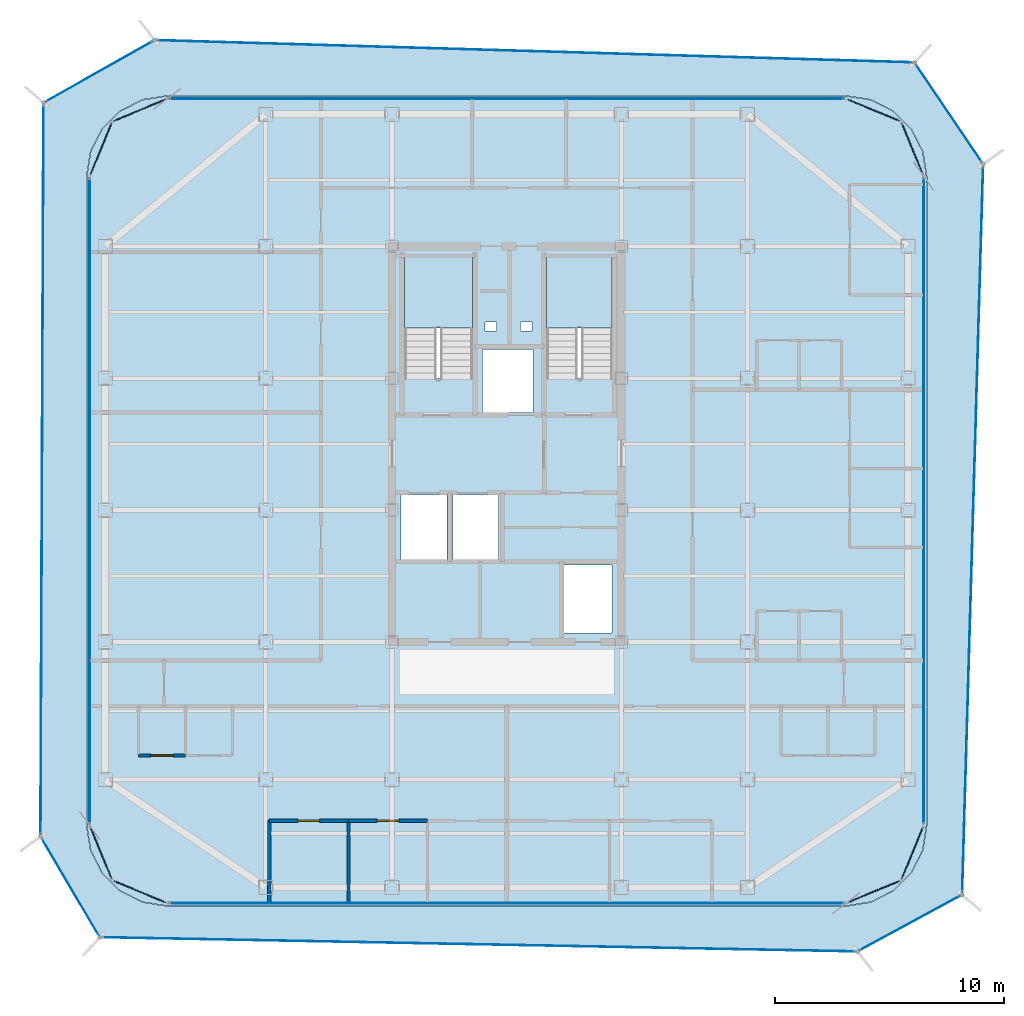
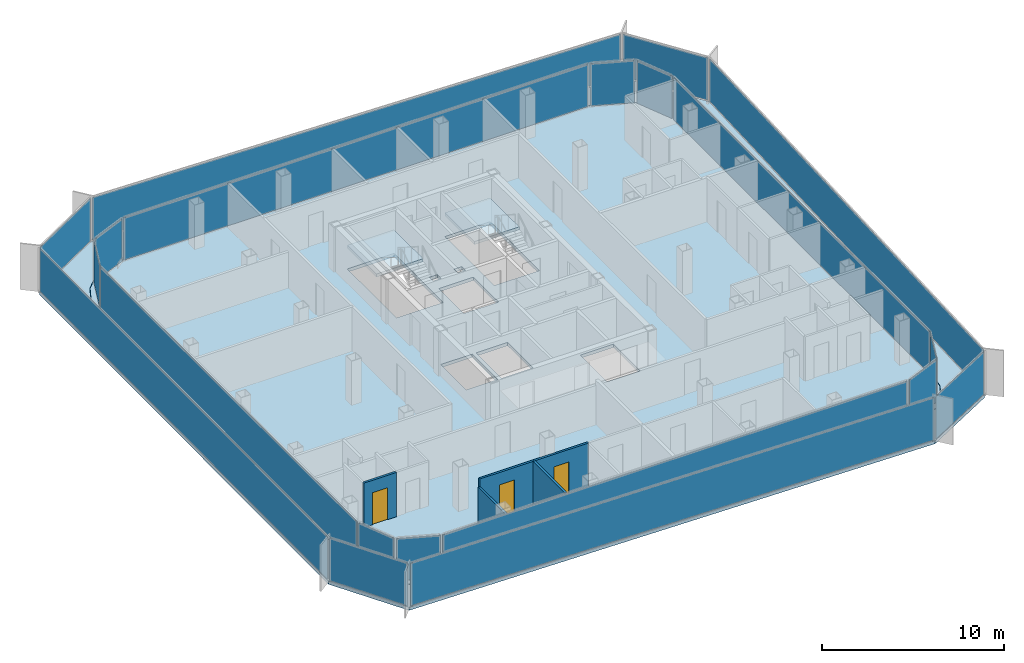
# One storey, part 9 of 15: 20 plates, 5 walls, 4 slabs, 3 doors, 3 openings, 22 elements without a shape of their own.
"""IFC4 building model written with IfcOpenShell, lengths in metres."""

import ifcopenshell
import ifcopenshell.guid

model = None  # the IFC model being written
_history = None  # IfcOwnerHistory: only IFC2X3 demands one
_inside = {}  # id of a spatial element -> (the spatial element, [elements in it])
_under = {}  # id of a project, library or spatial element -> (it, [spatial elements below it])
_declared = {}  # id of a project -> (the project, [libraries it declares])
_typed = {}  # id of a type object -> (the type object, [elements of that type])
_made_of = {}  # id of a material, layer set ... -> (it, [elements and type objects made of it])


def new_model(schema):
    """Start an empty IFC model of exactly this schema.

    Asked for "IFC4X3", IfcOpenShell would pick the latest addendum, in which some entities
    have other attributes; the version numbers below select the first issue.
    IFC2X3 requires an IfcOwnerHistory on every rooted entity: one is made here for all.
    """
    global model, _history
    if schema == "IFC4X3":
        model = ifcopenshell.file(schema_version=(4, 3, 0, 0))
    else:
        model = ifcopenshell.file(schema=schema)
    _inside.clear()
    _under.clear()
    _declared.clear()
    _typed.clear()
    _made_of.clear()
    _history = None
    if model.schema == "IFC2X3":
        org = make("IfcOrganization", Name="unknown")
        user = make(
            "IfcPersonAndOrganization",
            ThePerson=make("IfcPerson", FamilyName="unknown"),
            TheOrganization=org,
        )
        app = make(
            "IfcApplication",
            ApplicationDeveloper=org,
            Version="unknown",
            ApplicationFullName="unknown",
            ApplicationIdentifier="unknown",
        )
        _history = make(
            "IfcOwnerHistory",
            OwningUser=user,
            OwningApplication=app,
            ChangeAction="ADDED",
            CreationDate=0,
        )
    return model


def make(cls, **values):
    """One entity of the class cls with the attributes given. An attribute that is None is left unset."""
    return model.create_entity(
        cls, **{name: value for name, value in values.items() if value is not None}
    )


def rooted(cls, **values):
    """An entity with a GlobalId (a new one), such as an element, a storey or a relation."""
    return make(cls, GlobalId=ifcopenshell.guid.new(), OwnerHistory=_history, **values)


def si_unit(unit_type, name, prefix=None):
    """IfcSIUnit, for example si_unit("LENGTHUNIT", "METRE", prefix="MILLI")."""
    return make("IfcSIUnit", UnitType=unit_type, Prefix=prefix, Name=name)


def assignment(units):
    """IfcUnitAssignment: the units of a project."""
    return None if units is None else make("IfcUnitAssignment", Units=units)


def point(xyz):
    """IfcCartesianPoint."""
    return None if xyz is None else make("IfcCartesianPoint", Coordinates=xyz)


def direction(xyz):
    """IfcDirection."""
    return None if xyz is None else make("IfcDirection", DirectionRatios=xyz)


def frame(location, z_axis=None, x_axis=None):
    """IfcAxis2Placement3D, a coordinate frame: its origin and axes. An axis left out is left unset."""
    return make(
        "IfcAxis2Placement3D",
        Location=point(location),
        Axis=direction(z_axis),
        RefDirection=direction(x_axis),
    )


def frame_2d(location, x_axis=None):
    """IfcAxis2Placement2D, a coordinate frame in the plane: its origin and x axis."""
    return make(
        "IfcAxis2Placement2D", Location=point(location), RefDirection=direction(x_axis)
    )


def origin():
    """The frame at (0, 0, 0) with its axes left unset."""
    return frame((0.0, 0.0, 0.0))


def origin_2d():
    """The frame at (0, 0) in the plane with its x axis left unset."""
    return frame_2d((0.0, 0.0))


def place(relative_to, where):
    """IfcLocalPlacement: puts the frame where relative to a parent placement (None: the world)."""
    return make(
        "IfcLocalPlacement", PlacementRelTo=relative_to, RelativePlacement=where
    )


def context(
    kind, dimensions, precision=None, world=None, true_north=None, identifier=None
):
    """IfcGeometricRepresentationContext, for example the 3D "Model" context."""
    return make(
        "IfcGeometricRepresentationContext",
        ContextIdentifier=identifier,
        ContextType=kind,
        CoordinateSpaceDimension=dimensions,
        Precision=precision,
        WorldCoordinateSystem=world,
        TrueNorth=true_north,
    )


def subcontext(parent, identifier, kind, view, scale=None):
    """IfcGeometricRepresentationSubContext, for example "Body" below "Model"."""
    return make(
        "IfcGeometricRepresentationSubContext",
        ContextIdentifier=identifier,
        ContextType=kind,
        ParentContext=parent,
        TargetScale=scale,
        TargetView=view,
    )


def project(units=None, contexts=None):
    """IfcProject with its units and contexts."""
    return rooted(
        "IfcProject",
        Name="project",
        RepresentationContexts=contexts,
        UnitsInContext=assignment(units),
    )


def spatial(cls, under=None, at=None, **own):
    """A site, building, storey or space (cls), placed at a placement, below another one or the project."""
    s = rooted(cls, ObjectPlacement=at, **own)
    if under is not None:
        _under.setdefault(under.id(), (under, []))[1].append(s)
    return s


def polyline(points):
    """IfcPolyline through the points."""
    return make("IfcPolyline", Points=[point(p) for p in points])


def profile(cls, at=None, kind="AREA", **sizes):
    """A parametric profile (cls). Its sizes go by their IFC names, for example OverallWidth=200.0."""
    return make(cls, ProfileType=kind, Position=at, **sizes)


def rectangle(**sizes):
    """IfcRectangleProfileDef."""
    return profile("IfcRectangleProfileDef", **sizes)


def outline(outer, holes=None, kind="AREA"):
    """IfcArbitraryClosedProfileDef: a profile drawn as a closed curve; with holes, ...WithVoids."""
    if holes is None:
        return make("IfcArbitraryClosedProfileDef", ProfileType=kind, OuterCurve=outer)
    return make(
        "IfcArbitraryProfileDefWithVoids",
        ProfileType=kind,
        OuterCurve=outer,
        InnerCurves=holes,
    )


def extrude(swept, where, along, depth):
    """IfcExtrudedAreaSolid: the profile swept, set in the frame where, extruded along a direction by depth."""
    return make(
        "IfcExtrudedAreaSolid",
        SweptArea=swept,
        Position=where,
        ExtrudedDirection=direction(along),
        Depth=depth,
    )


def shape(context_of_items, identifier, shape_type, items):
    """IfcShapeRepresentation: the items that make up one representation, for example the "Body"."""
    return make(
        "IfcShapeRepresentation",
        ContextOfItems=context_of_items,
        RepresentationIdentifier=identifier,
        RepresentationType=shape_type,
        Items=items,
    )


def source(mapping_origin, context_of_items, identifier, shape_type, items):
    """IfcRepresentationMap: a shape defined once, which mapped items show again and again."""
    return make(
        "IfcRepresentationMap",
        MappingOrigin=mapping_origin,
        MappedRepresentation=shape(context_of_items, identifier, shape_type, items),
    )


def transform(
    local_origin,
    x_axis=None,
    y_axis=None,
    z_axis=None,
    scale=None,
    scale2=None,
    scale3=None,
    uniform=True,
):
    """IfcCartesianTransformationOperator3D, or its non-uniform kind. x_axis, y_axis, z_axis: its Axis1, 2, 3."""
    if uniform:
        return make(
            "IfcCartesianTransformationOperator3D",
            Axis1=direction(x_axis),
            Axis2=direction(y_axis),
            LocalOrigin=point(local_origin),
            Scale=scale,
            Axis3=direction(z_axis),
        )
    return make(
        "IfcCartesianTransformationOperator3DnonUniform",
        Axis1=direction(x_axis),
        Axis2=direction(y_axis),
        LocalOrigin=point(local_origin),
        Scale=scale,
        Axis3=direction(z_axis),
        Scale2=scale2,
        Scale3=scale3,
    )


def mapped(mapping_source, mapping_target):
    """IfcMappedItem: shows the shape of a source again, moved by a transform."""
    return make(
        "IfcMappedItem", MappingSource=mapping_source, MappingTarget=mapping_target
    )


def material(Name=None, Category=None):
    """IfcMaterial."""
    return make("IfcMaterial", Name=Name, Category=Category)


def layer(
    of_material, thickness, ventilated=None, Name=None, Category=None, Priority=None
):
    """IfcMaterialLayer: one layer of a wall or slab, of a material (None: an air gap)."""
    return make(
        "IfcMaterialLayer",
        Material=of_material,
        LayerThickness=thickness,
        IsVentilated=ventilated,
        Name=Name,
        Category=Category,
        Priority=Priority,
    )


def layer_set(layers, Name=None):
    """IfcMaterialLayerSet."""
    return make("IfcMaterialLayerSet", MaterialLayers=layers, LayerSetName=Name)


def made_of(thing, what):
    """Note that an element or type object is made of a material, layer set ...; save() writes the relation."""
    if what is not None:
        _made_of.setdefault(what.id(), (what, []))[1].append(thing)
    return thing


def type_object(cls, material=None, **own):
    """A type object (cls), such as IfcWallType, which elements share."""
    return made_of(rooted(cls, **own), material)


def element(
    cls,
    number,
    at=None,
    inside=None,
    cuts=None,
    type_object=None,
    material=None,
    context=None,
    identifier="Body",
    shape_type=None,
    held_by="IfcProductDefinitionShape",
    body=None,
    shapes=None,
    **own,
):
    """One element of the class cls, such as IfcWall. Its Tag is "e" and its number.

    at: its placement. inside: the storey or other place that contains it. cuts: it is an
    opening in that element (IfcRelVoidsElement). A single representation is given by context,
    identifier, shape_type and body (its items); several are given by shapes. held_by: the class
    of the entity that holds the representations. save() writes the other relations.
    """
    e = rooted(cls, Tag="e%d" % number, ObjectPlacement=at, **own)
    if body is not None:
        shapes = [shape(context, identifier, shape_type, body)]
    if shapes is not None:
        e.Representation = make(held_by, Representations=shapes)
    if inside is not None:
        _inside.setdefault(inside.id(), (inside, []))[1].append(e)
    if cuts is not None:
        rooted(
            "IfcRelVoidsElement", RelatingBuildingElement=cuts, RelatedOpeningElement=e
        )
    if type_object is not None:
        _typed.setdefault(type_object.id(), (type_object, []))[1].append(e)
    return made_of(e, material)


def fill(opening, filler):
    """IfcRelFillsElement: the door or window that sits in an opening."""
    return rooted(
        "IfcRelFillsElement",
        RelatingOpeningElement=opening,
        RelatedBuildingElement=filler,
    )


def aggregate(whole, parts):
    """IfcRelAggregates: a whole, such as a stair, and the parts it consists of."""
    return rooted("IfcRelAggregates", RelatingObject=whole, RelatedObjects=parts)


def save(model, path):
    """Write the relations noted so far, then the file.

    IfcRelAggregates (storeys below a building ...), IfcRelContainedInSpatialStructure (elements
    in a storey), IfcRelDefinesByType, IfcRelAssociatesMaterial and IfcRelDeclares: one each for
    every whole, place, type object, material and project.
    """
    for whole, parts in _under.values():
        aggregate(whole, parts)
    for where, things in _inside.values():
        rooted(
            "IfcRelContainedInSpatialStructure",
            RelatedElements=things,
            RelatingStructure=where,
        )
    for kind, things in _typed.values():
        rooted("IfcRelDefinesByType", RelatedObjects=things, RelatingType=kind)
    for what, things in _made_of.values():
        rooted("IfcRelAssociatesMaterial", RelatedObjects=things, RelatingMaterial=what)
    for by, libraries in _declared.values():
        rooted("IfcRelDeclares", RelatingContext=by, RelatedDefinitions=libraries)
    model.write(path)


model = new_model("IFC4")

# Units and contexts
model_context = context("Model", 3, precision=1e-05, world=origin(), true_north=direction((0.0, 1.0)))
body_context = subcontext(model_context, "Body", "Model", "MODEL_VIEW")
ifc_project = project(units=[si_unit("LENGTHUNIT", "METRE"), si_unit("AREAUNIT", "SQUARE_METRE"), si_unit("VOLUMEUNIT", "CUBIC_METRE"), si_unit("PLANEANGLEUNIT", "RADIAN"), si_unit("MASSUNIT", "GRAM", prefix="KILO")], contexts=[model_context])

# Site, building, storey
site_placement = place(None, origin())
site = spatial("IfcSite", under=ifc_project, at=site_placement, CompositionType="ELEMENT")
building_placement = place(site_placement, origin())
building = spatial("IfcBuilding", under=site, at=building_placement, Name="Kolveth Station Tower", CompositionType="ELEMENT")
storey_placement = place(building_placement, frame((0.0, 0.0, 242.5)))
storey = spatial("IfcBuildingStorey", under=building, at=storey_placement, Name="L69", CompositionType="ELEMENT", Elevation=242.5)

# Slab
ifc_material_1 = material(Name="Concrete C40/50", Category="concrete")
ifc_layer_1 = layer(ifc_material_1, 0.219970703125)
ifc_layer_set_1 = layer_set([ifc_layer_1], Name="Concrete C40/50")
slab_type_1 = type_object("IfcSlabType", Name="Slab_SF-220", PredefinedType="FLOOR", material=ifc_layer_set_1)
slab_1_placement = place(storey_placement, frame((0.0, 0.0, -0.219970703125)))
element("IfcSlab", 1, at=slab_1_placement, inside=storey, type_object=slab_type_1, Name="L69 Tower Structural Floor Slab", PredefinedType="FLOOR", context=body_context, shape_type="SweptSolid", body=[
    extrude(outline(polyline([(38.300048828125, 0.0), (39.381591796875, 0.17138671875), (40.357177734375, 0.66845703125), (41.131591796875, 1.44287109375), (41.628662109375, 2.41845703125), (41.800048828125, 3.5), (41.800048828125, 31.800048828125), (41.628662109375, 32.881591796875), (41.131591796875, 33.857177734375), (40.357177734375, 34.631591796875), (39.381591796875, 35.128662109375), (38.300048828125, 35.300048828125), (8.699951171875, 35.300048828125), (7.618408203125, 35.128662109375), (6.642822265625, 34.631591796875), (5.868408203125, 33.857177734375), (5.371337890625, 32.881591796875), (5.199951171875, 31.800048828125), (5.199951171875, 3.5), (5.371337890625, 2.41845703125), (5.868408203125, 1.44287109375), (6.642822265625, 0.66845703125), (7.618408203125, 0.17138671875), (8.699951171875, 0.0), (38.300048828125, 0.0)]), holes=[polyline([(19.0400390625, 22.985107421875), (22.0, 22.985107421875), (22.0, 28.39990234375), (19.0400390625, 28.39990234375), (19.0400390625, 22.985107421875)]), polyline([(25.239990234375, 22.985107421875), (28.10009765625, 22.985107421875), (28.10009765625, 28.39990234375), (25.239990234375, 28.39990234375), (25.239990234375, 22.985107421875)]), polyline([(18.89990234375, 15.10009765625), (20.89990234375, 15.10009765625), (20.89990234375, 17.89990234375), (18.89990234375, 17.89990234375), (18.89990234375, 15.10009765625)]), polyline([(21.14990234375, 15.10009765625), (23.14990234375, 15.10009765625), (23.14990234375, 17.89990234375), (21.14990234375, 17.89990234375), (21.14990234375, 15.10009765625)]), polyline([(22.449951171875, 21.5), (24.64990234375, 21.5), (24.64990234375, 24.25), (22.449951171875, 24.25), (22.449951171875, 21.5)]), polyline([(26.0, 11.89990234375), (28.10009765625, 11.89990234375), (28.10009765625, 14.85009765625), (26.0, 14.85009765625), (26.0, 11.89990234375)]), polyline([(22.550048828125, 25.050048828125), (23.050048828125, 25.050048828125), (23.050048828125, 25.449951171875), (22.550048828125, 25.449951171875), (22.550048828125, 25.050048828125)]), polyline([(24.10009765625, 25.050048828125), (24.60009765625, 25.050048828125), (24.60009765625, 25.449951171875), (24.10009765625, 25.449951171875), (24.10009765625, 25.050048828125)])]), origin(), (0.0, 0.0, 1.0), 0.219970703125),
])

# Stair, slab
stair_type_1 = type_object("IfcStairType", Name="Stair_ST2", PredefinedType="HALF_TURN_STAIR", material=ifc_material_1)
stair_1_placement = place(storey_placement, origin())
stair_1 = element("IfcStair", 2, at=stair_1_placement, inside=storey, type_object=stair_type_1, Name="L69 Tower Exit Stair ST2", PredefinedType="HALF_TURN_STAIR")
ifc_layer_2 = layer(ifc_material_1, 0.18994140625)
ifc_layer_set_2 = layer_set([ifc_layer_2], Name="Concrete C40/50")
slab_type_2 = type_object("IfcSlabType", Name="Slab_SL-190", PredefinedType="LANDING", material=ifc_layer_set_2)
slab_2_placement = place(storey_placement, frame((0.0, 0.0, 1.39990234375)))
slab_2 = element("IfcSlab", 3, at=slab_2_placement, type_object=slab_type_2, Name="ST2 landing 1", PredefinedType="LANDING", context=body_context, shape_type="SweptSolid", body=[
    extrude(outline(polyline([(28.10009765625, 25.18994140625), (28.10009765625, 28.39990234375), (25.239990234375, 28.39990234375), (25.239990234375, 25.18994140625), (28.10009765625, 25.18994140625)])), origin(), (0.0, 0.0, 1.0), 0.2001953125),
])
aggregate(stair_1, [slab_2])

stair_type_2 = type_object("IfcStairType", Name="Stair_ST1", PredefinedType="HALF_TURN_STAIR", material=ifc_material_1)
stair_2_placement = place(storey_placement, origin())
stair_2 = element("IfcStair", 4, at=stair_2_placement, inside=storey, type_object=stair_type_2, Name="L69 Tower Exit Stair ST1", PredefinedType="HALF_TURN_STAIR")
ifc_layer_3 = layer(ifc_material_1, 0.205078125)
ifc_layer_set_3 = layer_set([ifc_layer_3], Name="Concrete C40/50")
slab_type_3 = type_object("IfcSlabType", Name="Slab_SL-205", PredefinedType="LANDING", material=ifc_layer_set_3)
slab_3_placement = place(storey_placement, frame((0.0, 0.0, 1.39990234375)))
slab_3 = element("IfcSlab", 5, at=slab_3_placement, type_object=slab_type_3, Name="ST1 landing 1", PredefinedType="LANDING", context=body_context, shape_type="SweptSolid", body=[
    extrude(outline(polyline([(22.0, 25.18994140625), (22.0, 28.39990234375), (19.0400390625, 28.39990234375), (19.0400390625, 25.18994140625), (22.0, 25.18994140625)])), origin(), (0.0, 0.0, 1.0), 0.2001953125),
])
aggregate(stair_2, [slab_3])

# Slab
ifc_layer_4 = layer(ifc_material_1, 0.2099609375)
ifc_layer_set_4 = layer_set([ifc_layer_4], Name="Concrete C40/50")
slab_type_4 = type_object("IfcSlabType", Name="Slab_ST-210", PredefinedType="FLOOR", material=ifc_layer_set_4)
slab_4_placement = place(storey_placement, frame((0.0, 0.0, -0.2099609375)))
element("IfcSlab", 6, at=slab_4_placement, inside=storey, type_object=slab_type_4, Name="L69 Double-Skin Cavity Structural Ledger Ring", PredefinedType="FLOOR", context=body_context, shape_type="SweptSolid", body=[
    extrude(outline(polyline([(5.77001953125, -1.37255859375), (3.183349609375, 3.01953125), (3.3134765625, 35.00634765625), (8.153564453125, 37.733642578125), (41.281005859375, 36.76220703125), (44.275146484375, 32.33740234375), (43.358154296875, 0.48193359375), (38.7919921875, -1.9931640625), (5.77001953125, -1.37255859375)]), holes=[polyline([(38.30224609375, -0.014892578125), (39.3837890625, 0.156494140625), (39.388427734375, 0.157958984375), (40.364013671875, 0.655029296875), (40.367919921875, 0.65771484375), (41.14208984375, 1.43212890625), (41.14501953125, 1.43603515625), (41.64208984375, 2.41162109375), (41.6435546875, 2.416015625), (41.814697265625, 3.497802734375), (41.81494140625, 3.5), (41.81494140625, 31.800048828125), (41.814697265625, 31.80224609375), (41.6435546875, 32.8837890625), (41.64208984375, 32.888427734375), (41.14501953125, 33.864013671875), (41.14208984375, 33.867919921875), (40.367919921875, 34.64208984375), (40.364013671875, 34.64501953125), (39.388427734375, 35.14208984375), (39.3837890625, 35.1435546875), (38.30224609375, 35.314697265625), (38.300048828125, 35.31494140625), (8.699951171875, 35.31494140625), (8.69775390625, 35.314697265625), (7.6162109375, 35.1435546875), (7.611572265625, 35.14208984375), (6.635986328125, 34.64501953125), (6.632080078125, 34.64208984375), (5.85791015625, 33.867919921875), (5.85498046875, 33.864013671875), (5.35791015625, 32.888427734375), (5.3564453125, 32.8837890625), (5.185302734375, 31.80224609375), (5.18505859375, 31.800048828125), (5.18505859375, 3.5), (5.185302734375, 3.497802734375), (5.3564453125, 2.416015625), (5.35791015625, 2.41162109375), (5.85498046875, 1.43603515625), (5.85791015625, 1.43212890625), (6.632080078125, 0.65771484375), (6.635986328125, 0.655029296875), (7.611572265625, 0.157958984375), (7.6162109375, 0.156494140625), (8.69775390625, -0.014892578125), (8.699951171875, -0.014892578125), (38.300048828125, -0.014892578125), (38.30224609375, -0.014892578125)])]), origin(), (0.0, 0.0, 1.0), 0.2099609375),
])

# Curtain wall, plate
ifc_material_2 = material(Name="Aluminium 6063-T6 and triple low-E dark glass", Category="aluminium")
ifc_layer_5 = layer(ifc_material_2, 0.199951171875)
ifc_layer_set_5 = layer_set([ifc_layer_5], Name="Aluminium 6063-T6 and triple low-E dark glass")
curtain_wall_type_1 = type_object("IfcCurtainWallType", Name="CurtainWall_CW-Z3", PredefinedType="NOTDEFINED", material=ifc_layer_set_5)
curtain_wall_1_placement = place(storey_placement, origin())
curtain_wall_1 = element("IfcCurtainWall", 7, at=curtain_wall_1_placement, inside=storey, type_object=curtain_wall_type_1, Name="L69 Inner Thermal Curtain Wall 1", PredefinedType="NOTDEFINED")
ifc_material_3 = material(Name="Architectural low-E dark glass", Category="glass")
ifc_layer_6 = layer(ifc_material_3, 0.0419921875)
ifc_layer_set_6 = layer_set([ifc_layer_6], Name="Architectural low-E dark glass")
plate_type_1 = type_object("IfcPlateType", Name="Panel_GL3", PredefinedType="CURTAIN_PANEL", material=ifc_layer_set_6)
shared_shape_1 = source(origin(), body_context, "Body", "SweptSolid", [
    extrude(rectangle(XDim=2.430908203125, YDim=0.0419921875, at=origin_2d()), origin(), (0.0, 0.0, 1.0), 2.823974609375),
])
plate_1_placement = place(storey_placement, frame((39.4951171875, 0.614990234375, 0.078125), z_axis=(0.0, 0.0, 1.0), x_axis=(0.923875488975, 0.382693194181, 0.0)))
plate_1 = element("IfcPlate", 8, at=plate_1_placement, type_object=plate_type_1, Name="CW-Z3 panel 1.1", PredefinedType="CURTAIN_PANEL", context=body_context, shape_type="MappedRepresentation", body=[
    mapped(shared_shape_1, transform((0.0, 0.0, 0.0), x_axis=(1.0, 0.0, 0.0), y_axis=(0.0, 1.0, 0.0), z_axis=(0.0, 0.0, 1.0), scale=1.0)),
])
aggregate(curtain_wall_1, [plate_1])

curtain_wall_2_placement = place(storey_placement, origin())
curtain_wall_2 = element("IfcCurtainWall", 9, at=curtain_wall_2_placement, inside=storey, type_object=curtain_wall_type_1, Name="L69 Inner Thermal Curtain Wall 2", PredefinedType="NOTDEFINED")
plate_2_placement = place(storey_placement, frame((41.18505859375, 2.304931640625, 0.078125), z_axis=(0.0, 0.0, 1.0), x_axis=(0.382693194181, 0.923875488975, 0.0)))
plate_2 = element("IfcPlate", 10, at=plate_2_placement, type_object=plate_type_1, Name="CW-Z3 panel 1.1", PredefinedType="CURTAIN_PANEL", context=body_context, shape_type="MappedRepresentation", body=[
    mapped(shared_shape_1, transform((0.0, 0.0, 0.0), x_axis=(1.0, 0.0, 0.0), y_axis=(0.0, 1.0, 0.0), z_axis=(0.0, 0.0, 1.0), scale=1.0)),
])
aggregate(curtain_wall_2, [plate_2])

curtain_wall_3_placement = place(storey_placement, origin())
curtain_wall_3 = element("IfcCurtainWall", 11, at=curtain_wall_3_placement, inside=storey, type_object=curtain_wall_type_1, Name="L69 Inner Thermal Curtain Wall 4", PredefinedType="NOTDEFINED")
plate_3_placement = place(storey_placement, frame((41.18505859375, 32.9951171875, 0.078125), z_axis=(0.0, 0.0, 1.0), x_axis=(-0.382693194181, 0.923875488975, 0.0)))
plate_3 = element("IfcPlate", 12, at=plate_3_placement, type_object=plate_type_1, Name="CW-Z3 panel 1.1", PredefinedType="CURTAIN_PANEL", context=body_context, shape_type="MappedRepresentation", body=[
    mapped(shared_shape_1, transform((0.0, 0.0, 0.0), x_axis=(1.0, 0.0, 0.0), y_axis=(0.0, 1.0, 0.0), z_axis=(0.0, 0.0, 1.0), scale=1.0)),
])
aggregate(curtain_wall_3, [plate_3])

curtain_wall_4_placement = place(storey_placement, origin())
curtain_wall_4 = element("IfcCurtainWall", 13, at=curtain_wall_4_placement, inside=storey, type_object=curtain_wall_type_1, Name="L69 Inner Thermal Curtain Wall 5", PredefinedType="NOTDEFINED")
plate_4_placement = place(storey_placement, frame((39.4951171875, 34.68505859375, 0.078125), z_axis=(0.0, 0.0, 1.0), x_axis=(-0.923875488975, 0.382693194181, 0.0)))
plate_4 = element("IfcPlate", 14, at=plate_4_placement, type_object=plate_type_1, Name="CW-Z3 panel 1.1", PredefinedType="CURTAIN_PANEL", context=body_context, shape_type="MappedRepresentation", body=[
    mapped(shared_shape_1, transform((0.0, 0.0, 0.0), x_axis=(1.0, 0.0, 0.0), y_axis=(0.0, 1.0, 0.0), z_axis=(0.0, 0.0, 1.0), scale=1.0)),
])
aggregate(curtain_wall_4, [plate_4])

curtain_wall_5_placement = place(storey_placement, origin())
curtain_wall_5 = element("IfcCurtainWall", 15, at=curtain_wall_5_placement, inside=storey, type_object=curtain_wall_type_1, Name="L69 Inner Thermal Curtain Wall 7", PredefinedType="NOTDEFINED")
plate_5_placement = place(storey_placement, frame((7.5048828125, 34.68505859375, 0.078125), z_axis=(0.0, 0.0, 1.0), x_axis=(-0.923875488975, -0.382693194181, 0.0)))
plate_5 = element("IfcPlate", 16, at=plate_5_placement, type_object=plate_type_1, Name="CW-Z3 panel 1.1", PredefinedType="CURTAIN_PANEL", context=body_context, shape_type="MappedRepresentation", body=[
    mapped(shared_shape_1, transform((0.0, 0.0, 0.0), x_axis=(1.0, 0.0, 0.0), y_axis=(0.0, 1.0, 0.0), z_axis=(0.0, 0.0, 1.0), scale=1.0)),
])
aggregate(curtain_wall_5, [plate_5])

curtain_wall_6_placement = place(storey_placement, origin())
curtain_wall_6 = element("IfcCurtainWall", 17, at=curtain_wall_6_placement, inside=storey, type_object=curtain_wall_type_1, Name="L69 Inner Thermal Curtain Wall 8", PredefinedType="NOTDEFINED")
plate_6_placement = place(storey_placement, frame((5.81494140625, 32.9951171875, 0.078125), z_axis=(0.0, 0.0, 1.0), x_axis=(-0.382693194181, -0.923875488975, 0.0)))
plate_6 = element("IfcPlate", 18, at=plate_6_placement, type_object=plate_type_1, Name="CW-Z3 panel 1.1", PredefinedType="CURTAIN_PANEL", context=body_context, shape_type="MappedRepresentation", body=[
    mapped(shared_shape_1, transform((0.0, 0.0, 0.0), x_axis=(1.0, 0.0, 0.0), y_axis=(0.0, 1.0, 0.0), z_axis=(0.0, 0.0, 1.0), scale=1.0)),
])
aggregate(curtain_wall_6, [plate_6])

curtain_wall_7_placement = place(storey_placement, origin())
curtain_wall_7 = element("IfcCurtainWall", 19, at=curtain_wall_7_placement, inside=storey, type_object=curtain_wall_type_1, Name="L69 Inner Thermal Curtain Wall 10", PredefinedType="NOTDEFINED")
plate_7_placement = place(storey_placement, frame((5.81494140625, 2.304931640625, 0.078125), z_axis=(0.0, 0.0, 1.0), x_axis=(0.382693194181, -0.923875488975, 0.0)))
plate_7 = element("IfcPlate", 20, at=plate_7_placement, type_object=plate_type_1, Name="CW-Z3 panel 1.1", PredefinedType="CURTAIN_PANEL", context=body_context, shape_type="MappedRepresentation", body=[
    mapped(shared_shape_1, transform((0.0, 0.0, 0.0), x_axis=(1.0, 0.0, 0.0), y_axis=(0.0, 1.0, 0.0), z_axis=(0.0, 0.0, 1.0), scale=1.0)),
])
aggregate(curtain_wall_7, [plate_7])

curtain_wall_8_placement = place(storey_placement, origin())
curtain_wall_8 = element("IfcCurtainWall", 21, at=curtain_wall_8_placement, inside=storey, type_object=curtain_wall_type_1, Name="L69 Inner Thermal Curtain Wall 11", PredefinedType="NOTDEFINED")
plate_8_placement = place(storey_placement, frame((7.5048828125, 0.614990234375, 0.078125), z_axis=(0.0, 0.0, 1.0), x_axis=(0.923875488975, -0.382693194181, 0.0)))
plate_8 = element("IfcPlate", 22, at=plate_8_placement, type_object=plate_type_1, Name="CW-Z3 panel 1.1", PredefinedType="CURTAIN_PANEL", context=body_context, shape_type="MappedRepresentation", body=[
    mapped(shared_shape_1, transform((0.0, 0.0, 0.0), x_axis=(1.0, 0.0, 0.0), y_axis=(0.0, 1.0, 0.0), z_axis=(0.0, 0.0, 1.0), scale=1.0)),
])
aggregate(curtain_wall_8, [plate_8])

curtain_wall_9_placement = place(storey_placement, origin())
curtain_wall_9 = element("IfcCurtainWall", 23, at=curtain_wall_9_placement, inside=storey, type_object=curtain_wall_type_1, Name="L69 Inner Thermal Curtain Wall 3", PredefinedType="NOTDEFINED")
shared_shape_2 = source(origin(), body_context, "Body", "SweptSolid", [
    extrude(rectangle(XDim=28.14404296875, YDim=0.0419921875, at=origin_2d()), origin(), (0.0, 0.0, 1.0), 2.823974609375),
])
plate_9_placement = place(storey_placement, frame((41.679931640625, 17.64990234375, 0.078125), z_axis=(0.0, 0.0, 1.0), x_axis=(0.0, 1.0, 0.0)))
plate_9 = element("IfcPlate", 24, at=plate_9_placement, type_object=plate_type_1, Name="CW-Z3 panel 1.1", PredefinedType="CURTAIN_PANEL", context=body_context, shape_type="MappedRepresentation", body=[
    mapped(shared_shape_2, transform((0.0, 0.0, 0.0), x_axis=(1.0, 0.0, 0.0), y_axis=(0.0, 1.0, 0.0), z_axis=(0.0, 0.0, 1.0), scale=1.0)),
])
aggregate(curtain_wall_9, [plate_9])

curtain_wall_10_placement = place(storey_placement, origin())
curtain_wall_10 = element("IfcCurtainWall", 25, at=curtain_wall_10_placement, inside=storey, type_object=curtain_wall_type_1, Name="L69 Inner Thermal Curtain Wall 9", PredefinedType="NOTDEFINED")
plate_10_placement = place(storey_placement, frame((5.320068359375, 17.64990234375, 0.078125), z_axis=(0.0, 0.0, 1.0), x_axis=(0.0, -1.0, 0.0)))
plate_10 = element("IfcPlate", 26, at=plate_10_placement, type_object=plate_type_1, Name="CW-Z3 panel 1.1", PredefinedType="CURTAIN_PANEL", context=body_context, shape_type="MappedRepresentation", body=[
    mapped(shared_shape_2, transform((0.0, 0.0, 0.0), x_axis=(1.0, 0.0, 0.0), y_axis=(0.0, 1.0, 0.0), z_axis=(0.0, 0.0, 1.0), scale=1.0)),
])
aggregate(curtain_wall_10, [plate_10])

curtain_wall_11_placement = place(storey_placement, origin())
curtain_wall_11 = element("IfcCurtainWall", 27, at=curtain_wall_11_placement, inside=storey, type_object=curtain_wall_type_1, Name="L69 Inner Thermal Curtain Wall 6", PredefinedType="NOTDEFINED")
shared_shape_3 = source(origin(), body_context, "Body", "SweptSolid", [
    extrude(rectangle(XDim=29.444091796875, YDim=0.0419921875, at=origin_2d()), origin(), (0.0, 0.0, 1.0), 2.823974609375),
])
plate_11_placement = place(storey_placement, frame((23.5, 35.179931640625, 0.078125), z_axis=(0.0, 0.0, 1.0), x_axis=(-1.0, 0.0, 0.0)))
plate_11 = element("IfcPlate", 28, at=plate_11_placement, type_object=plate_type_1, Name="CW-Z3 panel 1.1", PredefinedType="CURTAIN_PANEL", context=body_context, shape_type="MappedRepresentation", body=[
    mapped(shared_shape_3, transform((0.0, 0.0, 0.0), x_axis=(1.0, 0.0, 0.0), y_axis=(0.0, 1.0, 0.0), z_axis=(0.0, 0.0, 1.0), scale=1.0)),
])
aggregate(curtain_wall_11, [plate_11])

curtain_wall_12_placement = place(storey_placement, origin())
curtain_wall_12 = element("IfcCurtainWall", 29, at=curtain_wall_12_placement, inside=storey, type_object=curtain_wall_type_1, Name="L69 Inner Thermal Curtain Wall 12", PredefinedType="NOTDEFINED")
plate_12_placement = place(storey_placement, frame((23.5, 0.1201171875, 0.078125), z_axis=(0.0, 0.0, 1.0), x_axis=(1.0, 0.0, 0.0)))
plate_12 = element("IfcPlate", 30, at=plate_12_placement, type_object=plate_type_1, Name="CW-Z3 panel 1.1", PredefinedType="CURTAIN_PANEL", context=body_context, shape_type="MappedRepresentation", body=[
    mapped(shared_shape_3, transform((0.0, 0.0, 0.0), x_axis=(1.0, 0.0, 0.0), y_axis=(0.0, 1.0, 0.0), z_axis=(0.0, 0.0, 1.0), scale=1.0)),
])
aggregate(curtain_wall_12, [plate_12])

ifc_material_4 = material(Name="Black anodized aluminium 6063-T6 and dark solar glass", Category="aluminium")
ifc_layer_7 = layer(ifc_material_4, 0.159912109375)
ifc_layer_set_7 = layer_set([ifc_layer_7], Name="Black anodized aluminium 6063-T6 and dark solar glass")
curtain_wall_type_2 = type_object("IfcCurtainWallType", Name="OUTER SKIN CW-OS", PredefinedType="NOTDEFINED", material=ifc_layer_set_7)
curtain_wall_13_placement = place(storey_placement, origin())
curtain_wall_13 = element("IfcCurtainWall", 31, at=curtain_wall_13_placement, inside=storey, type_object=curtain_wall_type_2, Name="L69 Outer Ventilated Skin Curtain Wall 1", PredefinedType="NOTDEFINED")
ifc_layer_8 = layer(ifc_material_3, 0.028076171875)
ifc_layer_set_8 = layer_set([ifc_layer_8], Name="Architectural low-E dark glass")
plate_type_2 = type_object("IfcPlateType", Name="Panel_GL-OS", PredefinedType="CURTAIN_PANEL", material=ifc_layer_set_8)
shared_shape_4 = source(origin(), body_context, "Body", "SweptSolid", [
    extrude(rectangle(XDim=5.027587890625, YDim=0.028076171875, at=origin_2d()), origin(), (0.0, 0.0, 1.0), 2.843994140625),
])
plate_13_placement = place(storey_placement, frame((41.074951171875, -0.755615234375, 0.0732421875), z_axis=(0.0, 0.0, 1.0), x_axis=(0.879155188399, 0.476535575494, 0.0)))
plate_13 = element("IfcPlate", 32, at=plate_13_placement, type_object=plate_type_2, Name="CW-OS panel 1.1", PredefinedType="CURTAIN_PANEL", context=body_context, shape_type="MappedRepresentation", body=[
    mapped(shared_shape_4, transform((0.0, 0.0, 0.0), x_axis=(1.0, 0.0, 0.0), y_axis=(0.0, 1.0, 0.0), z_axis=(0.0, 0.0, 1.0), scale=1.0)),
])
aggregate(curtain_wall_13, [plate_13])

curtain_wall_14_placement = place(storey_placement, origin())
curtain_wall_14 = element("IfcCurtainWall", 33, at=curtain_wall_14_placement, inside=storey, type_object=curtain_wall_type_2, Name="L69 Outer Ventilated Skin Curtain Wall 2", PredefinedType="NOTDEFINED")
shared_shape_5 = source(origin(), body_context, "Body", "SweptSolid", [
    extrude(rectangle(XDim=31.70263671875, YDim=0.028076171875, at=origin_2d()), origin(), (0.0, 0.0, 1.0), 2.843994140625),
])
plate_14_placement = place(storey_placement, frame((43.816650390625, 16.40966796875, 0.0732421875), z_axis=(0.0, 0.0, 1.0), x_axis=(0.028777543983, 0.999585840717, 0.0)))
plate_14 = element("IfcPlate", 34, at=plate_14_placement, type_object=plate_type_2, Name="CW-OS panel 1.1", PredefinedType="CURTAIN_PANEL", context=body_context, shape_type="MappedRepresentation", body=[
    mapped(shared_shape_5, transform((0.0, 0.0, 0.0), x_axis=(1.0, 0.0, 0.0), y_axis=(0.0, 1.0, 0.0), z_axis=(0.0, 0.0, 1.0), scale=1.0)),
])
aggregate(curtain_wall_14, [plate_14])

curtain_wall_15_placement = place(storey_placement, origin())
curtain_wall_15 = element("IfcCurtainWall", 35, at=curtain_wall_15_placement, inside=storey, type_object=curtain_wall_type_2, Name="L69 Outer Ventilated Skin Curtain Wall 3", PredefinedType="NOTDEFINED")
shared_shape_6 = source(origin(), body_context, "Body", "SweptSolid", [
    extrude(rectangle(XDim=5.176513671875, YDim=0.028076171875, at=origin_2d()), origin(), (0.0, 0.0, 1.0), 2.843994140625),
])
plate_15_placement = place(storey_placement, frame((42.778076171875, 34.5498046875, 0.0732421875), z_axis=(0.0, 0.0, 1.0), x_axis=(-0.560418890377, 0.828209313705, 0.0)))
plate_15 = element("IfcPlate", 36, at=plate_15_placement, type_object=plate_type_2, Name="CW-OS panel 1.1", PredefinedType="CURTAIN_PANEL", context=body_context, shape_type="MappedRepresentation", body=[
    mapped(shared_shape_6, transform((0.0, 0.0, 0.0), x_axis=(1.0, 0.0, 0.0), y_axis=(0.0, 1.0, 0.0), z_axis=(0.0, 0.0, 1.0), scale=1.0)),
])
aggregate(curtain_wall_15, [plate_15])

curtain_wall_16_placement = place(storey_placement, origin())
curtain_wall_16 = element("IfcCurtainWall", 37, at=curtain_wall_16_placement, inside=storey, type_object=curtain_wall_type_2, Name="L69 Outer Ventilated Skin Curtain Wall 4", PredefinedType="NOTDEFINED")
shared_shape_7 = source(origin(), body_context, "Body", "SweptSolid", [
    extrude(rectangle(XDim=32.975830078125, YDim=0.028076171875, at=origin_2d()), origin(), (0.0, 0.0, 1.0), 2.843994140625),
])
plate_16_placement = place(storey_placement, frame((24.71728515625, 37.247802734375, 0.0732421875), z_axis=(0.0, 0.0, 1.0), x_axis=(-0.999570270021, 0.029313397808, 0.0)))
plate_16 = element("IfcPlate", 38, at=plate_16_placement, type_object=plate_type_2, Name="CW-OS panel 1.1", PredefinedType="CURTAIN_PANEL", context=body_context, shape_type="MappedRepresentation", body=[
    mapped(shared_shape_7, transform((0.0, 0.0, 0.0), x_axis=(1.0, 0.0, 0.0), y_axis=(0.0, 1.0, 0.0), z_axis=(0.0, 0.0, 1.0), scale=1.0)),
])
aggregate(curtain_wall_16, [plate_16])

curtain_wall_17_placement = place(storey_placement, origin())
curtain_wall_17 = element("IfcCurtainWall", 39, at=curtain_wall_17_placement, inside=storey, type_object=curtain_wall_type_2, Name="L69 Outer Ventilated Skin Curtain Wall 5", PredefinedType="NOTDEFINED")
shared_shape_8 = source(origin(), body_context, "Body", "SweptSolid", [
    extrude(rectangle(XDim=5.3896484375, YDim=0.028076171875, at=origin_2d()), origin(), (0.0, 0.0, 1.0), 2.843994140625),
])
plate_17_placement = place(storey_placement, frame((5.7333984375, 36.3701171875, 0.0732421875), z_axis=(0.0, 0.0, 1.0), x_axis=(-0.871218136635, -0.490896076983, 0.0)))
plate_17 = element("IfcPlate", 40, at=plate_17_placement, type_object=plate_type_2, Name="CW-OS panel 1.1", PredefinedType="CURTAIN_PANEL", context=body_context, shape_type="MappedRepresentation", body=[
    mapped(shared_shape_8, transform((0.0, 0.0, 0.0), x_axis=(1.0, 0.0, 0.0), y_axis=(0.0, 1.0, 0.0), z_axis=(0.0, 0.0, 1.0), scale=1.0)),
])
aggregate(curtain_wall_17, [plate_17])

curtain_wall_18_placement = place(storey_placement, origin())
curtain_wall_18 = element("IfcCurtainWall", 41, at=curtain_wall_18_placement, inside=storey, type_object=curtain_wall_type_2, Name="L69 Outer Ventilated Skin Curtain Wall 6", PredefinedType="NOTDEFINED")
shared_shape_9 = source(origin(), body_context, "Body", "SweptSolid", [
    extrude(rectangle(XDim=31.821044921875, YDim=0.028076171875, at=origin_2d()), origin(), (0.0, 0.0, 1.0), 2.843994140625),
])
plate_18_placement = place(storey_placement, frame((3.248291015625, 19.012939453125, 0.0732421875), z_axis=(0.0, 0.0, 1.0), x_axis=(-0.004064142908, -0.999991741337, 0.0)))
plate_18 = element("IfcPlate", 42, at=plate_18_placement, type_object=plate_type_2, Name="CW-OS panel 1.1", PredefinedType="CURTAIN_PANEL", context=body_context, shape_type="MappedRepresentation", body=[
    mapped(shared_shape_9, transform((0.0, 0.0, 0.0), x_axis=(1.0, 0.0, 0.0), y_axis=(0.0, 1.0, 0.0), z_axis=(0.0, 0.0, 1.0), scale=1.0)),
])
aggregate(curtain_wall_18, [plate_18])

curtain_wall_19_placement = place(storey_placement, origin())
curtain_wall_19 = element("IfcCurtainWall", 43, at=curtain_wall_19_placement, inside=storey, type_object=curtain_wall_type_2, Name="L69 Outer Ventilated Skin Curtain Wall 7", PredefinedType="NOTDEFINED")
shared_shape_10 = source(origin(), body_context, "Body", "SweptSolid", [
    extrude(rectangle(XDim=4.931396484375, YDim=0.028076171875, at=origin_2d()), origin(), (0.0, 0.0, 1.0), 2.843994140625),
])
plate_19_placement = place(storey_placement, frame((4.476806640625, 0.823486328125, 0.0732421875), z_axis=(0.0, 0.0, 1.0), x_axis=(0.507465024899, -0.861672355657, 0.0)))
plate_19 = element("IfcPlate", 44, at=plate_19_placement, type_object=plate_type_2, Name="CW-OS panel 1.1", PredefinedType="CURTAIN_PANEL", context=body_context, shape_type="MappedRepresentation", body=[
    mapped(shared_shape_10, transform((0.0, 0.0, 0.0), x_axis=(1.0, 0.0, 0.0), y_axis=(0.0, 1.0, 0.0), z_axis=(0.0, 0.0, 1.0), scale=1.0)),
])
aggregate(curtain_wall_19, [plate_19])

curtain_wall_20_placement = place(storey_placement, origin())
curtain_wall_20 = element("IfcCurtainWall", 45, at=curtain_wall_20_placement, inside=storey, type_object=curtain_wall_type_2, Name="L69 Outer Ventilated Skin Curtain Wall 8", PredefinedType="NOTDEFINED")
shared_shape_11 = source(origin(), body_context, "Body", "SweptSolid", [
    extrude(rectangle(XDim=32.86181640625, YDim=0.028076171875, at=origin_2d()), origin(), (0.0, 0.0, 1.0), 2.843994140625),
])
plate_20_placement = place(storey_placement, frame((22.281005859375, -1.682861328125, 0.0732421875), z_axis=(0.0, 0.0, 1.0), x_axis=(0.999823504161, -0.018787243741, 0.0)))
plate_20 = element("IfcPlate", 46, at=plate_20_placement, type_object=plate_type_2, Name="CW-OS panel 1.1", PredefinedType="CURTAIN_PANEL", context=body_context, shape_type="MappedRepresentation", body=[
    mapped(shared_shape_11, transform((0.0, 0.0, 0.0), x_axis=(1.0, 0.0, 0.0), y_axis=(0.0, 1.0, 0.0), z_axis=(0.0, 0.0, 1.0), scale=1.0)),
])
aggregate(curtain_wall_20, [plate_20])

# Wall, opening, door
ifc_material_5 = material(Name="Moisture-resistant gypsum partition")
ifc_layer_9 = layer(ifc_material_5, 0.135009765625)
ifc_layer_set_9 = layer_set([ifc_layer_9], Name="Moisture-resistant gypsum partition")
wall_type = type_object("IfcWallType", Name="Wall_IW-135", PredefinedType="PARTITIONING", material=ifc_layer_set_9)
wall_1_placement = place(storey_placement, frame((7.449951171875, 6.550048828125, 0.0), z_axis=(0.0, 0.0, 1.0), x_axis=(1.0, 0.0, 0.0)))
wall_1 = element("IfcWall", 47, at=wall_1_placement, inside=storey, type_object=wall_type, Name="L69 Partition Wall WL-L69-A1-IBHK", PredefinedType="PARTITIONING", context=body_context, shape_type="SweptSolid", body=[
    extrude(rectangle(XDim=2.050048828125, YDim=0.135009765625, at=frame_2d((1.02490234375, 0.0))), origin(), (0.0, 0.0, 1.0), 2.97998046875),
])
opening_1_placement = place(wall_1_placement, frame((0.544921875, 0.0, 0.0)))
opening_1 = element("IfcOpeningElement", 48, at=opening_1_placement, cuts=wall_1, Name="Opening ID1", PredefinedType="OPENING", context=body_context, shape_type="SweptSolid", body=[
    extrude(rectangle(XDim=0.949951171875, YDim=2.14990234375, at=frame_2d((0.47509765625, 1.074951171875))), frame((0.0, 0.077392578125, 0.0), z_axis=(0.0, -1.0, 0.0), x_axis=(1.0, 0.0, 0.0)), (0.0, 0.0, 1.0), 0.155029296875),
])
ifc_material_6 = material(Name="Acoustic hardwood leaf and aluminium frame", Category="wood")
door_type = type_object("IfcDoorType", Name="Door_ID1", OperationType="NOTDEFINED", PredefinedType="DOOR", material=ifc_material_6)
door_1_placement = place(opening_1_placement, origin())
door_1 = element("IfcDoor", 49, at=door_1_placement, inside=storey, type_object=door_type, Name="Penthouse Flat L69-A1 Kitchen Door", OperationType="SINGLE_SWING_LEFT", OverallHeight=2.14990234375, OverallWidth=0.949951171875, PredefinedType="DOOR", context=body_context, shape_type="SweptSolid", body=[
    extrude(rectangle(XDim=0.949951171875, YDim=2.14990234375, at=frame_2d((0.47509765625, 1.074951171875))), frame((0.0, 0.02490234375, 0.0), z_axis=(0.0, -1.0, 0.0), x_axis=(1.0, 0.0, 0.0)), (0.0, 0.0, 1.0), 0.050048828125),
])
fill(opening_1, door_1)

# Wall
wall_2_placement = place(storey_placement, frame((13.14990234375, 0.159912109375, 0.0), z_axis=(0.0, 0.0, 1.0), x_axis=(0.0, 1.0, 0.0)))
element("IfcWall", 50, at=wall_2_placement, inside=storey, type_object=wall_type, Name="L69 Partition Wall WL-L69-A1-BDV0", PredefinedType="PARTITIONING", context=body_context, shape_type="SweptSolid", body=[
    extrude(rectangle(XDim=3.550048828125, YDim=0.135009765625, at=frame_2d((1.77490234375, 0.0))), origin(), (0.0, 0.0, 1.0), 2.427978515625),
])

# Wall, opening, door
wall_3_placement = place(storey_placement, frame((13.14990234375, 3.7099609375, 0.0), z_axis=(0.0, 0.0, 1.0), x_axis=(1.0, 0.0, 0.0)))
wall_3 = element("IfcWall", 51, at=wall_3_placement, inside=storey, type_object=wall_type, Name="L69 Partition Wall WL-L69-A1-BDH1", PredefinedType="PARTITIONING", context=body_context, shape_type="SweptSolid", body=[
    extrude(rectangle(XDim=3.4501953125, YDim=0.135009765625, at=frame_2d((1.72509765625, 0.0))), origin(), (0.0, 0.0, 1.0), 2.97998046875),
])
opening_2_placement = place(wall_3_placement, frame((1.2451171875, 0.0, 0.0)))
opening_2 = element("IfcOpeningElement", 52, at=opening_2_placement, cuts=wall_3, Name="Opening ID1", PredefinedType="OPENING", context=body_context, shape_type="SweptSolid", body=[
    extrude(rectangle(XDim=0.949951171875, YDim=2.14990234375, at=frame_2d((0.47509765625, 1.074951171875))), frame((0.0, 0.077392578125, 0.0), z_axis=(0.0, -1.0, 0.0), x_axis=(1.0, 0.0, 0.0)), (0.0, 0.0, 1.0), 0.155029296875),
])
door_2_placement = place(opening_2_placement, frame((0.949951171875, 0.0, 0.0), z_axis=(0.0, 0.0, 1.0), x_axis=(-1.0, 0.0, 0.0)))
door_2 = element("IfcDoor", 53, at=door_2_placement, inside=storey, type_object=door_type, Name="Penthouse Flat L69-A1 Bedroom 1 Door", OperationType="SINGLE_SWING_LEFT", OverallHeight=2.14990234375, OverallWidth=0.949951171875, PredefinedType="DOOR", context=body_context, shape_type="SweptSolid", body=[
    extrude(rectangle(XDim=0.949951171875, YDim=2.14990234375, at=frame_2d((0.47509765625, 1.074951171875))), frame((0.0, 0.02490234375, 0.0), z_axis=(0.0, -1.0, 0.0), x_axis=(1.0, 0.0, 0.0)), (0.0, 0.0, 1.0), 0.050048828125),
])
fill(opening_2, door_2)

wall_4_placement = place(storey_placement, frame((16.60009765625, 3.7099609375, 0.0), z_axis=(0.0, 0.0, 1.0), x_axis=(1.0, 0.0, 0.0)))
wall_4 = element("IfcWall", 54, at=wall_4_placement, inside=storey, type_object=wall_type, Name="L69 Partition Wall WL-L69-A1-BDH2", PredefinedType="PARTITIONING", context=body_context, shape_type="SweptSolid", body=[
    extrude(rectangle(XDim=3.449951171875, YDim=0.135009765625, at=frame_2d((1.72509765625, 0.0))), origin(), (0.0, 0.0, 1.0), 2.97998046875),
])
opening_3_placement = place(wall_4_placement, frame((1.2451171875, 0.0, 0.0)))
opening_3 = element("IfcOpeningElement", 55, at=opening_3_placement, cuts=wall_4, Name="Opening ID1", PredefinedType="OPENING", context=body_context, shape_type="SweptSolid", body=[
    extrude(rectangle(XDim=0.949951171875, YDim=2.14990234375, at=frame_2d((0.47509765625, 1.074951171875))), frame((0.0, 0.077392578125, 0.0), z_axis=(0.0, -1.0, 0.0), x_axis=(1.0, 0.0, 0.0)), (0.0, 0.0, 1.0), 0.155029296875),
])
door_3_placement = place(opening_3_placement, frame((0.949951171875, 0.0, 0.0), z_axis=(0.0, 0.0, 1.0), x_axis=(-1.0, 0.0, 0.0)))
door_3 = element("IfcDoor", 56, at=door_3_placement, inside=storey, type_object=door_type, Name="Penthouse Flat L69-A1 Bedroom 2 Door", OperationType="SINGLE_SWING_RIGHT", OverallHeight=2.14990234375, OverallWidth=0.949951171875, PredefinedType="DOOR", context=body_context, shape_type="SweptSolid", body=[
    extrude(rectangle(XDim=0.949951171875, YDim=2.14990234375, at=frame_2d((0.47509765625, 1.074951171875))), frame((0.0, 0.02490234375, 0.0), z_axis=(0.0, -1.0, 0.0), x_axis=(1.0, 0.0, 0.0)), (0.0, 0.0, 1.0), 0.050048828125),
])
fill(opening_3, door_3)

# Wall
wall_5_placement = place(storey_placement, frame((16.60009765625, 0.159912109375, 0.0), z_axis=(0.0, 0.0, 1.0), x_axis=(0.0, 1.0, 0.0)))
element("IfcWall", 57, at=wall_5_placement, inside=storey, type_object=wall_type, Name="L69 Partition Wall WL-L69-A1-BDV1", PredefinedType="PARTITIONING", context=body_context, shape_type="SweptSolid", body=[
    extrude(rectangle(XDim=3.550048828125, YDim=0.135009765625, at=frame_2d((1.77490234375, 0.0))), origin(), (0.0, 0.0, 1.0), 2.97998046875),
])

save(model, "model.ifc")
